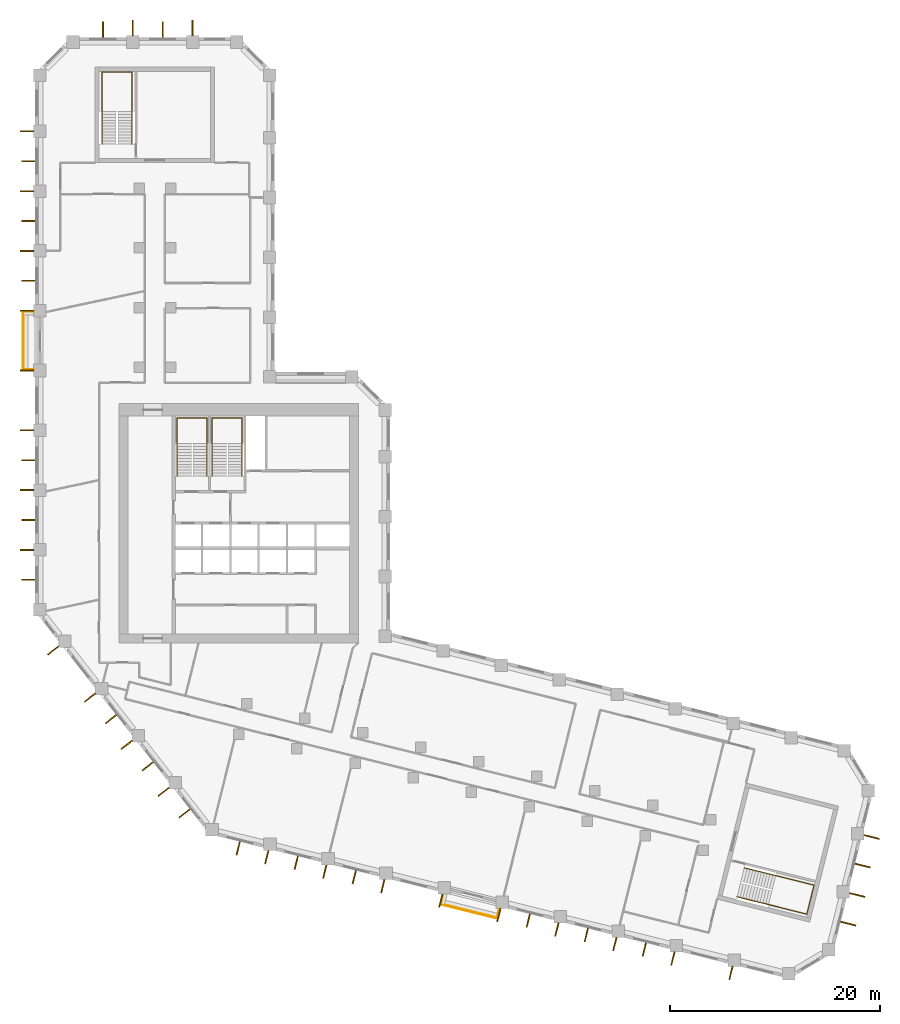
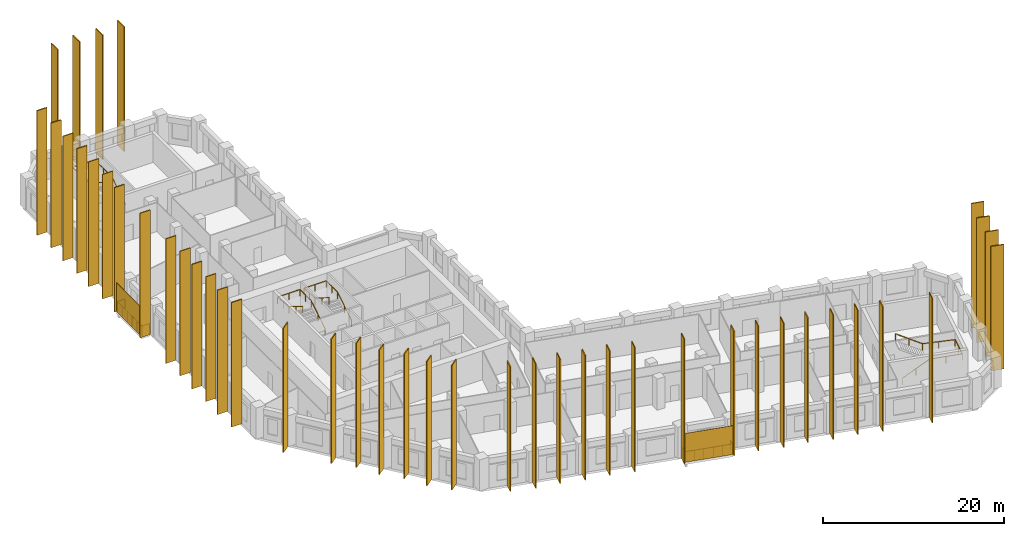
# One storey, part 10 of 10: 46 shading devices, 6 railings.
"""IFC4 building model written with IfcOpenShell, lengths in metres."""

from ifc_helpers import new_model, si_unit, direction, frame, origin, origin_2d, place, context, subcontext, project, spatial, rectangle, circle, extrude, material, layer, layer_set, type_object, element, save


model = new_model("IFC4")

# Units and contexts
model_context = context("Model", 3, precision=1e-05, world=origin(), true_north=direction((0.0, 1.0)))
body_context = subcontext(model_context, "Body", "Model", "MODEL_VIEW")
ifc_project = project(units=[si_unit("LENGTHUNIT", "METRE"), si_unit("AREAUNIT", "SQUARE_METRE"), si_unit("VOLUMEUNIT", "CUBIC_METRE"), si_unit("PLANEANGLEUNIT", "RADIAN"), si_unit("MASSUNIT", "GRAM", prefix="KILO")], contexts=[model_context])

# Site, building, storey
site_placement = place(None, origin())
site = spatial("IfcSite", under=ifc_project, at=site_placement, CompositionType="ELEMENT")
building_placement = place(site_placement, origin())
building = spatial("IfcBuilding", under=site, at=building_placement, Name="Meshkara Civic Tower", CompositionType="ELEMENT")
storey_placement = place(building_placement, frame((0.0, 0.0, 178.199951171875)))
storey = spatial("IfcBuildingStorey", under=building, at=storey_placement, Name="L40", CompositionType="ELEMENT", Elevation=178.199951171875)

# Railings
ifc_material_1 = material(Name="Steel S355", Category="steel")
railing_type_1 = type_object("IfcRailingType", Name="BALUSTRADE GUARD 1400", PredefinedType="BALUSTRADE", material=ifc_material_1)
railing_1_placement = place(storey_placement, frame((-0.14990234375, 45.635009765625, 0.0)))
element("IfcRailing", 1, at=railing_1_placement, inside=storey, type_object=railing_type_1, Name="Balcony guard", PredefinedType="BALUSTRADE", context=body_context, shape_type="SweptSolid", body=[
    extrude(circle(Radius=0.02392578125, at=origin_2d()), frame((0.0, 0.0, 1.3759765625), z_axis=(-1.0, 0.0, 0.0), x_axis=(0.0, -1.0, 0.0)), (0.0, 0.0, 1.0), 0.960205078125),
    extrude(circle(Radius=0.02392578125, at=origin_2d()), frame((-0.960205078125, 0.0, 1.3759765625), z_axis=(0.0, -1.0, 0.0), x_axis=(1.0, 0.0, 0.0)), (0.0, 0.0, 1.0), 5.4599609375),
    extrude(circle(Radius=0.02392578125, at=origin_2d()), frame((-0.960205078125, -5.4599609375, 1.3759765625), z_axis=(1.0, 0.0, 0.0), x_axis=(0.0, 1.0, 0.0)), (0.0, 0.0, 1.0), 0.960205078125),
    extrude(circle(Radius=0.02099609375, at=origin_2d()), origin(), (0.0, 0.0, 1.0), 1.351806640625),
    extrude(circle(Radius=0.02099609375, at=origin_2d()), frame((-0.960205078125, 0.0, 0.0)), (0.0, 0.0, 1.0), 1.351806640625),
    extrude(circle(Radius=0.02099609375, at=origin_2d()), frame((-0.960205078125, -1.092041015625, 0.0)), (0.0, 0.0, 1.0), 1.351806640625),
    extrude(circle(Radius=0.02099609375, at=origin_2d()), frame((-0.960205078125, -2.18408203125, 0.0)), (0.0, 0.0, 1.0), 1.351806640625),
    extrude(circle(Radius=0.02099609375, at=origin_2d()), frame((-0.960205078125, -3.27587890625, 0.0)), (0.0, 0.0, 1.0), 1.351806640625),
    extrude(circle(Radius=0.02099609375, at=origin_2d()), frame((-0.960205078125, -4.367919921875, 0.0)), (0.0, 0.0, 1.0), 1.351806640625),
    extrude(circle(Radius=0.02099609375, at=origin_2d()), frame((-0.960205078125, -5.4599609375, 0.0)), (0.0, 0.0, 1.0), 1.351806640625),
    extrude(circle(Radius=0.02099609375, at=origin_2d()), frame((0.0, -5.4599609375, 0.0)), (0.0, 0.0, 1.0), 1.351806640625),
])
railing_2_placement = place(storey_placement, frame((38.9140625, -9.988037109375, 0.0)))
element("IfcRailing", 2, at=railing_2_placement, inside=storey, type_object=railing_type_1, Name="Balcony guard", PredefinedType="BALUSTRADE", context=body_context, shape_type="SweptSolid", body=[
    extrude(circle(Radius=0.02392578125, at=origin_2d()), frame((0.0, 0.0, 1.3759765625), z_axis=(-0.241638519436, -0.97036633594, 0.0), x_axis=(0.97036633594, -0.241638519436, 0.0)), (0.0, 0.0, 1.0), 0.83251953125),
    extrude(circle(Radius=0.02392578125, at=origin_2d()), frame((-0.201171875, -0.807861328125, 1.3759765625), z_axis=(0.970292231073, -0.24193591366, 0.0), x_axis=(0.24193591366, 0.970292231073, 0.0)), (0.0, 0.0, 1.0), 5.460205078125),
    extrude(circle(Radius=0.02392578125, at=origin_2d()), frame((5.096923828125, -2.12890625, 1.3759765625), z_axis=(0.242466638965, 0.970159744057, 0.0), x_axis=(-0.970159744057, 0.242466638965, 0.0)), (0.0, 0.0, 1.0), 0.832763671875),
    extrude(circle(Radius=0.02099609375, at=origin_2d()), origin(), (0.0, 0.0, 1.0), 1.351806640625),
    extrude(circle(Radius=0.02099609375, at=origin_2d()), frame((-0.201171875, -0.807861328125, 0.0)), (0.0, 0.0, 1.0), 1.351806640625),
    extrude(circle(Radius=0.02099609375, at=origin_2d()), frame((0.8583984375, -1.072021484375, 0.0)), (0.0, 0.0, 1.0), 1.351806640625),
    extrude(circle(Radius=0.02099609375, at=origin_2d()), frame((1.91796875, -1.336181640625, 0.0)), (0.0, 0.0, 1.0), 1.351806640625),
    extrude(circle(Radius=0.02099609375, at=origin_2d()), frame((2.977783203125, -1.6005859375, 0.0)), (0.0, 0.0, 1.0), 1.351806640625),
    extrude(circle(Radius=0.02099609375, at=origin_2d()), frame((4.037353515625, -1.86474609375, 0.0)), (0.0, 0.0, 1.0), 1.351806640625),
    extrude(circle(Radius=0.02099609375, at=origin_2d()), frame((5.096923828125, -2.12890625, 0.0)), (0.0, 0.0, 1.0), 1.351806640625),
    extrude(circle(Radius=0.02099609375, at=origin_2d()), frame((5.298828125, -1.321044921875, 0.0)), (0.0, 0.0, 1.0), 1.351806640625),
])

# Shading devices
ifc_material_2 = material(Name="Bronze anodised aluminium", Category="aluminium")
ifc_layer_1 = layer(ifc_material_2, 0.1201171875)
ifc_layer_set_1 = layer_set([ifc_layer_1], Name="BRONZE FIN 1300")
shading_device_type_1 = type_object("IfcShadingDeviceType", Name="BRONZE FIN 1300", PredefinedType="USERDEFINED", material=ifc_layer_set_1)
for number, where, z_axis, x_axis, name in (
    (3, (-0.800048828125, 62.85498046875, 0.0), (0.0, 0.0, 1.0), (0.0, -1.0, 0.0), "Fin"),
    (4, (-0.64990234375, 60.0048828125, 0.0), (0.0, 0.0, 1.0), (0.0, -1.0, 0.0), "Fin"),
    (5, (-0.800048828125, 57.155029296875, 0.0), (0.0, 0.0, 1.0), (0.0, -1.0, 0.0), "Fin"),
    (6, (-0.64990234375, 54.304931640625, 0.0), (0.0, 0.0, 1.0), (0.0, -1.0, 0.0), "Fin"),
    (7, (-0.800048828125, 51.455078125, 0.0), (0.0, 0.0, 1.0), (0.0, -1.0, 0.0), "Fin"),
    (8, (-0.64990234375, 48.60498046875, 0.0), (0.0, 0.0, 1.0), (0.0, -1.0, 0.0), "Fin"),
    (9, (-0.800048828125, 45.7548828125, 0.0), (0.0, 0.0, 1.0), (0.0, -1.0, 0.0), "Fin"),
    (10, (-0.800048828125, 40.054931640625, 0.0), (0.0, 0.0, 1.0), (0.0, -1.0, 0.0), "Fin"),
    (11, (-0.800048828125, 34.35498046875, 0.0), (0.0, 0.0, 1.0), (0.0, -1.0, 0.0), "Fin"),
    (12, (-0.64990234375, 31.5048828125, 0.0), (0.0, 0.0, 1.0), (0.0, -1.0, 0.0), "Fin"),
    (13, (-0.800048828125, 28.655029296875, 0.0), (0.0, 0.0, 1.0), (0.0, -1.0, 0.0), "Fin"),
    (14, (-0.64990234375, 25.804931640625, 0.0), (0.0, 0.0, 1.0), (0.0, -1.0, 0.0), "Fin"),
    (15, (-0.800048828125, 22.955078125, 0.0), (0.0, 0.0, 1.0), (0.0, -1.0, 0.0), "Fin"),
    (16, (-0.64990234375, 20.10498046875, 0.0), (0.0, 0.0, 1.0), (0.0, -1.0, 0.0), "Fin"),
    (17, (1.701904296875, 13.360107421875, 0.0), (0.0, 0.0, 1.0), (0.615661475326, -0.788010753607, 0.0), "Fin"),
    (18, (5.2109375, 8.867919921875, 0.0), (0.0, 0.0, 1.0), (0.615661475326, -0.788010753607, 0.0), "Fin"),
    (19, (7.2109375, 6.81396484375, 0.0), (0.0, 0.0, 1.0), (0.615661475326, -0.788010753607, 0.0), "Fin"),
    (20, (8.720947265625, 4.3759765625, 0.0), (0.0, 0.0, 1.0), (0.615661475326, -0.788010753607, 0.0), "Fin"),
    (21, (10.720947265625, 2.322021484375, 0.0), (0.0, 0.0, 1.0), (0.615661475326, -0.788010753607, 0.0), "Fin"),
    (22, (12.22998046875, -0.114990234375, 0.0), (0.0, 0.0, 1.0), (0.615661475326, -0.788010753607, 0.0), "Fin"),
    (23, (14.22998046875, -2.1689453125, 0.0), (0.0, 0.0, 1.0), (0.615661475326, -0.788010753607, 0.0), "Fin"),
    (24, (19.35009765625, -5.4951171875, 0.0), (0.0, 0.0, 1.0), (0.970299948462, -0.241904960708, 0.0), "Fin"),
    (25, (22.074951171875, -6.347900390625, 0.0), (0.0, 0.0, 1.0), (0.970299948462, -0.241904960708, 0.0), "Fin"),
    (26, (24.881103515625, -6.873046875, 0.0), (0.0, 0.0, 1.0), (0.970299948462, -0.241904960708, 0.0), "Fin"),
    (27, (27.60498046875, -7.72705078125, 0.0), (0.0, 0.0, 1.0), (0.970299948462, -0.241904960708, 0.0), "Fin"),
    (28, (30.412109375, -8.251953125, 0.0), (0.0, 0.0, 1.0), (0.970299948462, -0.241904960708, 0.0), "Fin"),
    (29, (33.135986328125, -9.10595703125, 0.0), (0.0, 0.0, 1.0), (0.970299948462, -0.241904960708, 0.0), "Fin"),
    (30, (38.6669921875, -10.48388671875, 0.0), (0.0, 0.0, 1.0), (0.970299948462, -0.241904960708, 0.0), "Fin"),
    (31, (44.197998046875, -11.863037109375, 0.0), (0.0, 0.0, 1.0), (0.970299948462, -0.241904960708, 0.0), "Fin"),
    (32, (47.00390625, -12.388916015625, 0.0), (0.0, 0.0, 1.0), (0.970299948462, -0.241904960708, 0.0), "Fin"),
    (33, (49.72802734375, -13.241943359375, 0.0), (0.0, 0.0, 1.0), (0.970299948462, -0.241904960708, 0.0), "Fin"),
    (34, (52.533935546875, -13.76806640625, 0.0), (0.0, 0.0, 1.0), (0.970299948462, -0.241904960708, 0.0), "Fin"),
    (35, (55.259033203125, -14.62109375, 0.0), (0.0, 0.0, 1.0), (0.970299948462, -0.241904960708, 0.0), "Fin"),
    (36, (58.06494140625, -15.14697265625, 0.0), (0.0, 0.0, 1.0), (0.970299948462, -0.241904960708, 0.0), "Fin"),
    (37, (60.7900390625, -16.0, 0.0), (0.0, 0.0, 1.0), (0.970299948462, -0.241904960708, 0.0), "Fin"),
    (38, (66.320068359375, -17.37890625, 0.0), (0.0, 0.0, 1.0), (0.970299948462, -0.241904960708, 0.0), "Fin"),
):
    element("IfcShadingDevice", number, at=place(storey_placement, frame(where, z_axis=z_axis, x_axis=x_axis)), inside=storey, type_object=shading_device_type_1, Name=name, ObjectType="FIN", PredefinedType="USERDEFINED", context=body_context, shape_type="SweptSolid", body=[
        extrude(rectangle(XDim=0.1201171875, YDim=1.300048828125, at=origin_2d()), origin(), (0.0, 0.0, 1.0), 16.800048828125),
    ])
ifc_material_3 = material(Name="Bronze anodised aluminium", Category="aluminium")
ifc_layer_2 = layer(ifc_material_3, 0.1201171875)
ifc_layer_set_2 = layer_set([ifc_layer_2], Name="BRONZE FIN 1500")
shading_device_type_2 = type_object("IfcShadingDeviceType", Name="BRONZE FIN 1500", PredefinedType="USERDEFINED", material=ifc_layer_set_2)
for number, where, z_axis, x_axis, name in (
    (39, (15.006103515625, 72.719970703125, 0.0), (0.0, 0.0, 1.0), (-1.0, 0.0, 0.0), "Fin"),
    (40, (12.156005859375, 72.570068359375, 0.0), (0.0, 0.0, 1.0), (-1.0, 0.0, 0.0), "Fin"),
    (41, (9.305908203125, 72.719970703125, 0.0), (0.0, 0.0, 1.0), (-1.0, 0.0, 0.0), "Fin"),
    (42, (6.4560546875, 72.570068359375, 0.0), (0.0, 0.0, 1.0), (-1.0, 0.0, 0.0), "Fin"),
    (43, (77.507080078125, -12.669921875, 0.0), (0.0, 0.0, 1.0), (0.2419218956, 0.970295726276, 0.0), "Fin"),
    (44, (78.360107421875, -9.945068359375, 0.0), (0.0, 0.0, 1.0), (0.2419218956, 0.970295726276, 0.0), "Fin"),
    (45, (78.885986328125, -7.138916015625, 0.0), (0.0, 0.0, 1.0), (0.2419218956, 0.970295726276, 0.0), "Fin"),
    (46, (79.739013671875, -4.4150390625, 0.0), (0.0, 0.0, 1.0), (0.2419218956, 0.970295726276, 0.0), "Fin"),
):
    element("IfcShadingDevice", number, at=place(storey_placement, frame(where, z_axis=z_axis, x_axis=x_axis)), inside=storey, type_object=shading_device_type_2, Name=name, ObjectType="FIN", PredefinedType="USERDEFINED", context=body_context, shape_type="SweptSolid", body=[
        extrude(rectangle(XDim=0.1201171875, YDim=1.5, at=origin_2d()), origin(), (0.0, 0.0, 1.0), 16.800048828125),
    ])
ifc_material_4 = material(Name="Perforated bronze anodised aluminium sheet", Category="aluminium")
ifc_layer_3 = layer(ifc_material_4, 0.0400390625)
ifc_layer_set_3 = layer_set([ifc_layer_3], Name="PERFORATED BRONZE SCREEN")
shading_device_type_3 = type_object("IfcShadingDeviceType", Name="PERFORATED BRONZE SCREEN", PredefinedType="USERDEFINED", material=ifc_layer_set_3)
for number, where, z_axis, x_axis, name in (
    (47, (-1.179931640625, 42.905029296875, 0.0), (0.0, 0.0, 1.0), (0.0, -1.0, 0.0), "Balcony screen"),
    (48, (41.344970703125, -11.52392578125, 0.0), (0.0, 0.0, 1.0), (0.970299948462, -0.241904960708, 0.0), "Balcony screen"),
):
    element("IfcShadingDevice", number, at=place(storey_placement, frame(where, z_axis=z_axis, x_axis=x_axis)), inside=storey, type_object=shading_device_type_3, Name=name, ObjectType="SCREEN", PredefinedType="USERDEFINED", context=body_context, shape_type="SweptSolid", body=[
        extrude(rectangle(XDim=5.580078125, YDim=0.0400390625, at=origin_2d()), origin(), (0.0, 0.0, 1.0), 3.89990234375),
    ])

# Railings
ifc_material_5 = material(Name="Steel handrail", Category="steel")
railing_type_2 = type_object("IfcRailingType", Name="Stair handrail 900", PredefinedType="HANDRAIL", material=ifc_material_5)
railing_3_placement = place(storey_placement, frame((16.375, 30.0, 0.175048828125)))
element("IfcRailing", 49, at=railing_3_placement, inside=storey, type_object=railing_type_2, Name="L40 ST1 stair handrail 1", PredefinedType="HANDRAIL", context=body_context, shape_type="SweptSolid", body=[
    extrude(circle(Radius=0.02392578125, at=origin_2d()), frame((0.0, 0.0, 0.8759765625), z_axis=(0.0, 0.847998304005, 0.529998940003), x_axis=(-1.0, 0.0, 0.0)), (0.0, 0.0, 1.0), 3.632080078125),
    extrude(circle(Radius=0.02392578125, at=origin_2d()), frame((0.0, 3.080078125, 2.80078125), z_axis=(0.0, 1.0, 0.0), x_axis=(-1.0, 0.0, 0.0)), (0.0, 0.0, 1.0), 2.469970703125),
    extrude(circle(Radius=0.02392578125, at=origin_2d()), frame((0.0, 5.550048828125, 2.80078125), z_axis=(-1.0, 0.0, 0.0), x_axis=(0.0, -1.0, 0.0)), (0.0, 0.0, 1.0), 2.85009765625),
    extrude(circle(Radius=0.02392578125, at=origin_2d()), frame((-2.85009765625, 5.550048828125, 2.80078125), z_axis=(0.0, -0.997498084828, 0.070693498747), x_axis=(1.0, 0.0, 0.0)), (0.0, 0.0, 1.0), 2.47607421875),
    extrude(circle(Radius=0.02392578125, at=origin_2d()), frame((-2.85009765625, 3.080078125, 2.97607421875), z_axis=(0.0, -0.848028513186, 0.529950602248), x_axis=(1.0, 0.0, 0.0)), (0.0, 0.0, 1.0), 3.632080078125),
    extrude(circle(Radius=0.02099609375, at=origin_2d()), origin(), (0.0, 0.0, 1.0), 0.851806640625),
    extrude(circle(Radius=0.02099609375, at=origin_2d()), frame((0.0, 1.5400390625, 0.96240234375)), (0.0, 0.0, 1.0), 0.851806640625),
    extrude(circle(Radius=0.02099609375, at=origin_2d()), frame((0.0, 3.080078125, 1.925048828125)), (0.0, 0.0, 1.0), 0.851806640625),
    extrude(circle(Radius=0.02099609375, at=origin_2d()), frame((0.0, 4.31494140625, 1.925048828125)), (0.0, 0.0, 1.0), 0.851806640625),
    extrude(circle(Radius=0.02099609375, at=origin_2d()), frame((0.0, 5.550048828125, 1.925048828125)), (0.0, 0.0, 1.0), 0.851806640625),
    extrude(circle(Radius=0.02099609375, at=origin_2d()), frame((-1.425048828125, 5.550048828125, 1.925048828125)), (0.0, 0.0, 1.0), 0.851806640625),
    extrude(circle(Radius=0.02099609375, at=origin_2d()), frame((-2.85009765625, 5.550048828125, 1.925048828125)), (0.0, 0.0, 1.0), 0.851806640625),
    extrude(circle(Radius=0.02099609375, at=origin_2d()), frame((-2.85009765625, 4.31494140625, 2.0126953125)), (0.0, 0.0, 1.0), 0.851806640625),
    extrude(circle(Radius=0.02099609375, at=origin_2d()), frame((-2.85009765625, 3.080078125, 2.10009765625)), (0.0, 0.0, 1.0), 0.851806640625),
    extrude(circle(Radius=0.02099609375, at=origin_2d()), frame((-2.85009765625, 1.5400390625, 3.0625)), (0.0, 0.0, 1.0), 0.851806640625),
    extrude(circle(Radius=0.02099609375, at=origin_2d()), frame((-2.85009765625, 0.0, 4.02490234375)), (0.0, 0.0, 1.0), 0.851806640625),
])
railing_4_placement = place(storey_placement, frame((19.72509765625, 30.0, 0.175048828125)))
element("IfcRailing", 50, at=railing_4_placement, inside=storey, type_object=railing_type_2, Name="L40 ST2 stair handrail 1", PredefinedType="HANDRAIL", context=body_context, shape_type="SweptSolid", body=[
    extrude(circle(Radius=0.02392578125, at=origin_2d()), frame((0.0, 0.0, 0.8759765625), z_axis=(0.0, 0.847998304005, 0.529998940003), x_axis=(-1.0, 0.0, 0.0)), (0.0, 0.0, 1.0), 3.632080078125),
    extrude(circle(Radius=0.02392578125, at=origin_2d()), frame((0.0, 3.080078125, 2.80078125), z_axis=(0.0, 1.0, 0.0), x_axis=(-1.0, 0.0, 0.0)), (0.0, 0.0, 1.0), 2.469970703125),
    extrude(circle(Radius=0.02392578125, at=origin_2d()), frame((0.0, 5.550048828125, 2.80078125), z_axis=(-1.0, 0.0, 0.0), x_axis=(0.0, -1.0, 0.0)), (0.0, 0.0, 1.0), 2.85009765625),
    extrude(circle(Radius=0.02392578125, at=origin_2d()), frame((-2.85009765625, 5.550048828125, 2.80078125), z_axis=(0.0, -0.997498084828, 0.070693498747), x_axis=(1.0, 0.0, 0.0)), (0.0, 0.0, 1.0), 2.47607421875),
    extrude(circle(Radius=0.02392578125, at=origin_2d()), frame((-2.85009765625, 3.080078125, 2.97607421875), z_axis=(0.0, -0.848028513186, 0.529950602248), x_axis=(1.0, 0.0, 0.0)), (0.0, 0.0, 1.0), 3.632080078125),
    extrude(circle(Radius=0.02099609375, at=origin_2d()), origin(), (0.0, 0.0, 1.0), 0.851806640625),
    extrude(circle(Radius=0.02099609375, at=origin_2d()), frame((0.0, 1.5400390625, 0.96240234375)), (0.0, 0.0, 1.0), 0.851806640625),
    extrude(circle(Radius=0.02099609375, at=origin_2d()), frame((0.0, 3.080078125, 1.925048828125)), (0.0, 0.0, 1.0), 0.851806640625),
    extrude(circle(Radius=0.02099609375, at=origin_2d()), frame((0.0, 4.31494140625, 1.925048828125)), (0.0, 0.0, 1.0), 0.851806640625),
    extrude(circle(Radius=0.02099609375, at=origin_2d()), frame((0.0, 5.550048828125, 1.925048828125)), (0.0, 0.0, 1.0), 0.851806640625),
    extrude(circle(Radius=0.02099609375, at=origin_2d()), frame((-1.425048828125, 5.550048828125, 1.925048828125)), (0.0, 0.0, 1.0), 0.851806640625),
    extrude(circle(Radius=0.02099609375, at=origin_2d()), frame((-2.85009765625, 5.550048828125, 1.925048828125)), (0.0, 0.0, 1.0), 0.851806640625),
    extrude(circle(Radius=0.02099609375, at=origin_2d()), frame((-2.85009765625, 4.31494140625, 2.0126953125)), (0.0, 0.0, 1.0), 0.851806640625),
    extrude(circle(Radius=0.02099609375, at=origin_2d()), frame((-2.85009765625, 3.080078125, 2.10009765625)), (0.0, 0.0, 1.0), 0.851806640625),
    extrude(circle(Radius=0.02099609375, at=origin_2d()), frame((-2.85009765625, 1.5400390625, 3.0625)), (0.0, 0.0, 1.0), 0.851806640625),
    extrude(circle(Radius=0.02099609375, at=origin_2d()), frame((-2.85009765625, 0.0, 4.02490234375)), (0.0, 0.0, 1.0), 0.851806640625),
])
railing_5_placement = place(storey_placement, frame((9.22509765625, 61.669921875, 0.175048828125)))
element("IfcRailing", 51, at=railing_5_placement, inside=storey, type_object=railing_type_2, Name="L40 ESA3 stair handrail 1", PredefinedType="HANDRAIL", context=body_context, shape_type="SweptSolid", body=[
    extrude(circle(Radius=0.02392578125, at=origin_2d()), frame((0.0, 0.0, 0.8759765625), z_axis=(0.0, 0.847998304005, 0.529998940003), x_axis=(-1.0, 0.0, 0.0)), (0.0, 0.0, 1.0), 3.632080078125),
    extrude(circle(Radius=0.02392578125, at=origin_2d()), frame((0.0, 3.080078125, 2.80078125), z_axis=(0.0, 1.0, 0.0), x_axis=(-1.0, 0.0, 0.0)), (0.0, 0.0, 1.0), 3.77001953125),
    extrude(circle(Radius=0.02392578125, at=origin_2d()), frame((0.0, 6.85009765625, 2.80078125), z_axis=(-1.0, 0.0, 0.0), x_axis=(0.0, -1.0, 0.0)), (0.0, 0.0, 1.0), 2.85009765625),
    extrude(circle(Radius=0.02392578125, at=origin_2d()), frame((-2.85009765625, 6.85009765625, 2.80078125), z_axis=(0.0, -0.9989237834, 0.046381838667), x_axis=(1.0, 0.0, 0.0)), (0.0, 0.0, 1.0), 3.774169921875),
    extrude(circle(Radius=0.02392578125, at=origin_2d()), frame((-2.85009765625, 3.080078125, 2.97607421875), z_axis=(0.0, -0.848028513186, 0.529950602248), x_axis=(1.0, 0.0, 0.0)), (0.0, 0.0, 1.0), 3.632080078125),
    extrude(circle(Radius=0.02099609375, at=origin_2d()), origin(), (0.0, 0.0, 1.0), 0.851806640625),
    extrude(circle(Radius=0.02099609375, at=origin_2d()), frame((0.0, 1.5400390625, 0.96240234375)), (0.0, 0.0, 1.0), 0.851806640625),
    extrude(circle(Radius=0.02099609375, at=origin_2d()), frame((0.0, 3.080078125, 1.925048828125)), (0.0, 0.0, 1.0), 0.851806640625),
    extrude(circle(Radius=0.02099609375, at=origin_2d()), frame((0.0, 4.965087890625, 1.925048828125)), (0.0, 0.0, 1.0), 0.851806640625),
    extrude(circle(Radius=0.02099609375, at=origin_2d()), frame((0.0, 6.85009765625, 1.925048828125)), (0.0, 0.0, 1.0), 0.851806640625),
    extrude(circle(Radius=0.02099609375, at=origin_2d()), frame((-1.425048828125, 6.85009765625, 1.925048828125)), (0.0, 0.0, 1.0), 0.851806640625),
    extrude(circle(Radius=0.02099609375, at=origin_2d()), frame((-2.85009765625, 6.85009765625, 1.925048828125)), (0.0, 0.0, 1.0), 0.851806640625),
    extrude(circle(Radius=0.02099609375, at=origin_2d()), frame((-2.85009765625, 4.965087890625, 2.0126953125)), (0.0, 0.0, 1.0), 0.851806640625),
    extrude(circle(Radius=0.02099609375, at=origin_2d()), frame((-2.85009765625, 3.080078125, 2.10009765625)), (0.0, 0.0, 1.0), 0.851806640625),
    extrude(circle(Radius=0.02099609375, at=origin_2d()), frame((-2.85009765625, 1.5400390625, 3.0625)), (0.0, 0.0, 1.0), 0.851806640625),
    extrude(circle(Radius=0.02099609375, at=origin_2d()), frame((-2.85009765625, 0.0, 4.02490234375)), (0.0, 0.0, 1.0), 0.851806640625),
])
railing_6_placement = place(storey_placement, frame((66.910888671875, -10.1123046875, 0.175048828125)))
element("IfcRailing", 52, at=railing_6_placement, inside=storey, type_object=railing_type_2, Name="L40 ESB3 stair handrail 1", PredefinedType="HANDRAIL", context=body_context, shape_type="SweptSolid", body=[
    extrude(circle(Radius=0.02392578125, at=origin_2d()), frame((0.0, 0.0, 0.8759765625), z_axis=(0.822816010835, -0.205082235851, 0.530014234575), x_axis=(0.241845469214, 0.970314778317, 0.0)), (0.0, 0.0, 1.0), 3.632080078125),
    extrude(circle(Radius=0.02392578125, at=origin_2d()), frame((2.988525390625, -0.744873046875, 2.80078125), z_axis=(0.970325068916, -0.241804178279, 0.0), x_axis=(0.241804178279, 0.970325068916, 0.0)), (0.0, 0.0, 1.0), 3.77001953125),
    extrude(circle(Radius=0.02392578125, at=origin_2d()), frame((6.646728515625, -1.656494140625, 2.80078125), z_axis=(0.24183009087, 0.970318611153, 0.0), x_axis=(-0.970318611153, 0.24183009087, 0.0)), (0.0, 0.0, 1.0), 2.849853515625),
    extrude(circle(Radius=0.02392578125, at=origin_2d()), frame((7.3359375, 1.10888671875, 2.80078125), z_axis=(-0.969280822407, 0.241543952941, 0.046381096481), x_axis=(-0.241804178279, -0.970325068916, 0.0)), (0.0, 0.0, 1.0), 3.774169921875),
    extrude(circle(Radius=0.02392578125, at=origin_2d()), frame((3.677734375, 2.0205078125, 2.97607421875), z_axis=(-0.822845324611, 0.205089542144, 0.529965896515), x_axis=(-0.241845469214, -0.970314778317, 0.0)), (0.0, 0.0, 1.0), 3.6318359375),
    extrude(circle(Radius=0.02099609375, at=origin_2d()), origin(), (0.0, 0.0, 1.0), 0.851806640625),
    extrude(circle(Radius=0.02099609375, at=origin_2d()), frame((1.494140625, -0.37255859375, 0.96240234375)), (0.0, 0.0, 1.0), 0.851806640625),
    extrude(circle(Radius=0.02099609375, at=origin_2d()), frame((2.988525390625, -0.744873046875, 1.925048828125)), (0.0, 0.0, 1.0), 0.851806640625),
    extrude(circle(Radius=0.02099609375, at=origin_2d()), frame((4.817626953125, -1.20068359375, 1.925048828125)), (0.0, 0.0, 1.0), 0.851806640625),
    extrude(circle(Radius=0.02099609375, at=origin_2d()), frame((6.646728515625, -1.656494140625, 1.925048828125)), (0.0, 0.0, 1.0), 0.851806640625),
    extrude(circle(Radius=0.02099609375, at=origin_2d()), frame((6.9912109375, -0.27392578125, 1.925048828125)), (0.0, 0.0, 1.0), 0.851806640625),
    extrude(circle(Radius=0.02099609375, at=origin_2d()), frame((7.3359375, 1.10888671875, 1.925048828125)), (0.0, 0.0, 1.0), 0.851806640625),
    extrude(circle(Radius=0.02099609375, at=origin_2d()), frame((5.5068359375, 1.564697265625, 2.0126953125)), (0.0, 0.0, 1.0), 0.851806640625),
    extrude(circle(Radius=0.02099609375, at=origin_2d()), frame((3.677734375, 2.0205078125, 2.10009765625)), (0.0, 0.0, 1.0), 0.851806640625),
    extrude(circle(Radius=0.02099609375, at=origin_2d()), frame((2.18359375, 2.39306640625, 3.0625)), (0.0, 0.0, 1.0), 0.851806640625),
    extrude(circle(Radius=0.02099609375, at=origin_2d()), frame((0.689208984375, 2.765380859375, 4.02490234375)), (0.0, 0.0, 1.0), 0.851806640625),
])

save(model, "model.ifc")
